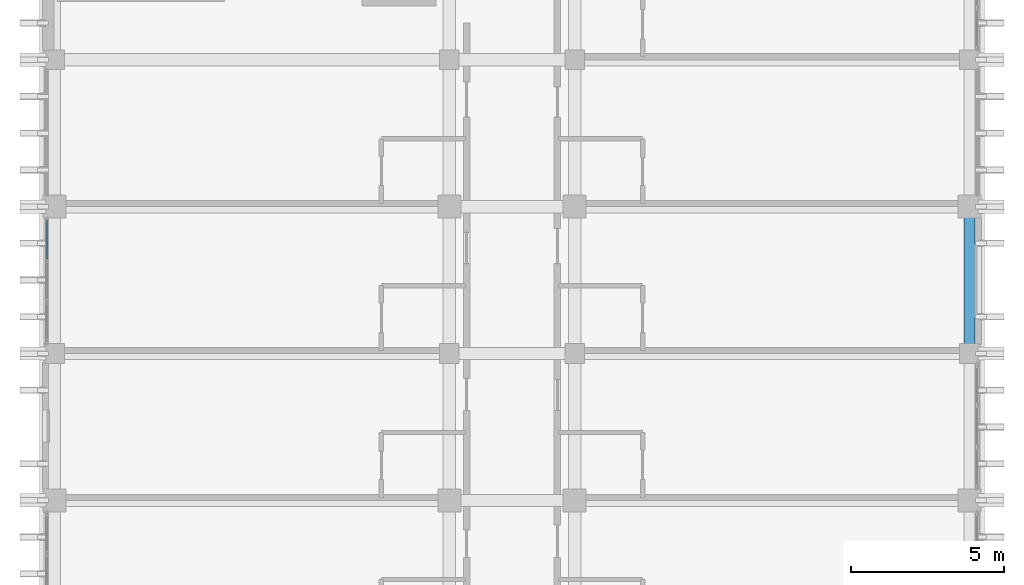
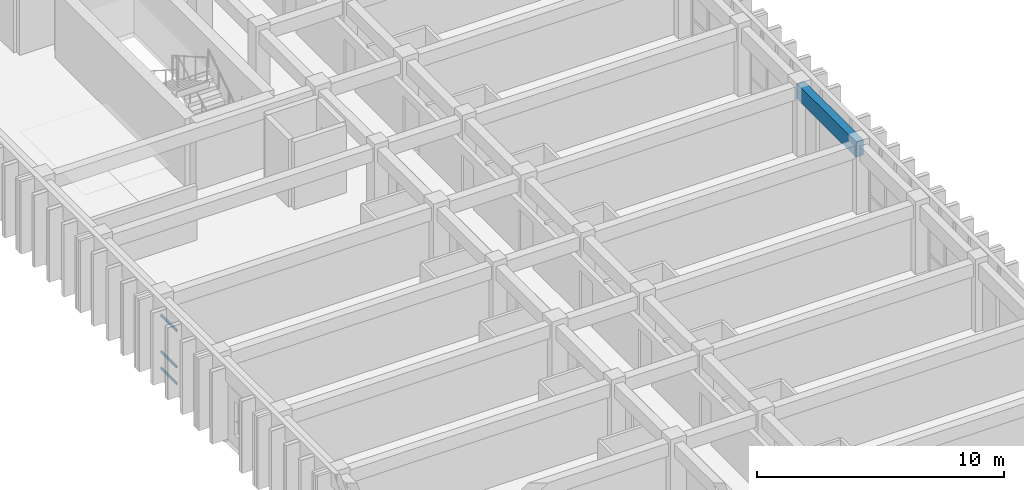
# One storey, part 17 of 64: 3 members, 1 beam, 1 element without a shape of its own.
"""IFC4 building model written with IfcOpenShell, lengths in metres."""

from ifc_helpers import new_model, si_unit, direction, frame, origin, origin_2d, place, context, subcontext, project, spatial, rectangle, hollow_rectangle, extrude, material, layer, layer_set, material_profile, profile_set, type_object, element, aggregate, save


model = new_model("IFC4")

# Units and contexts
model_context = context("Model", 3, precision=1e-05, world=origin(), true_north=direction((0.0, 1.0)))
body_context = subcontext(model_context, "Body", "Model", "MODEL_VIEW")
ifc_project = project(units=[si_unit("LENGTHUNIT", "METRE"), si_unit("AREAUNIT", "SQUARE_METRE"), si_unit("VOLUMEUNIT", "CUBIC_METRE"), si_unit("PLANEANGLEUNIT", "RADIAN"), si_unit("MASSUNIT", "GRAM", prefix="KILO")], contexts=[model_context])

# Site, building, storey
site_placement = place(None, origin())
site = spatial("IfcSite", under=ifc_project, at=site_placement, CompositionType="ELEMENT")
building_placement = place(site_placement, origin())
building = spatial("IfcBuilding", under=site, at=building_placement, Name="Nakhvara Creek Congress Hotel", CompositionType="ELEMENT")
storey_placement = place(building_placement, frame((0.0, 0.0, 28.199951171875)))
storey = spatial("IfcBuildingStorey", under=building, at=storey_placement, Name="L06", CompositionType="ELEMENT", Elevation=28.199951171875)

# Beam
ifc_material_1 = material(Name="Concrete C40/50", Category="concrete")
ifc_material_profile_1 = material_profile(ifc_material_1, rectangle(XDim=0.35009765625, YDim=0.75, at=origin_2d()), Name="RC-SPANDREL 350x750", Category="LoadBearing")
ifc_profile_set_1 = profile_set([ifc_material_profile_1], Name="Concrete C40/50")
beam_type = type_object("IfcBeamType", Name="BM-SPN-350X750", PredefinedType="SPANDREL", material=ifc_profile_set_1)
beam_placement = place(storey_placement, frame((179.35009765625, 62.39990234375, 2.965087890625), z_axis=(0.0, 1.0, 0.0), x_axis=(-1.0, 0.0, 0.0)))
element("IfcBeam", 1, at=beam_placement, inside=storey, type_object=beam_type, Name="Beam SP1-L06-2280", PredefinedType="SPANDREL", context=body_context, shape_type="SweptSolid", body=[
    extrude(rectangle(XDim=0.35009765625, YDim=0.75, at=origin_2d()), origin(), (0.0, 0.0, 1.0), 4.800048828125),
])

# Curtain wall, members
ifc_material_2 = material(Name="Bronze-anodised aluminium AW-6063-T6 and double-silver low-E glass", Category="aluminium")
ifc_layer = layer(ifc_material_2, 0.199951171875)
ifc_layer_set = layer_set([ifc_layer], Name="Bronze-anodised aluminium AW-6063-T6 and double-silver low-E glass")
curtain_wall_type = type_object("IfcCurtainWallType", Name="CW-HTL-UNIT", PredefinedType="USERDEFINED", material=ifc_layer_set)
curtain_wall_placement = place(storey_placement, origin())
curtain_wall = element("IfcCurtainWall", 2, at=curtain_wall_placement, inside=storey, type_object=curtain_wall_type, Name="Curtain Wall CW236", ObjectType="UNITISED", PredefinedType="USERDEFINED")
ifc_material_3 = material(Name="Bronze-anodised aluminium AW-6063-T6", Category="aluminium")
ifc_material_profile_2 = material_profile(ifc_material_3, hollow_rectangle(XDim=0.06494140625, YDim=0.1201171875, WallThickness=0.00390625, at=origin_2d()), Name="ALU-TRAN 65x120x4", Category="LoadBearing")
ifc_profile_set_2 = profile_set([ifc_material_profile_2], Name="Bronze-anodised aluminium AW-6063-T6")
member_type = type_object("IfcMemberType", Name="CW-TRAN-120", PredefinedType="USERDEFINED", material=ifc_profile_set_2)
member_1_placement = place(storey_placement, frame((149.199951171875, 65.48583984375, 0.032470703125), z_axis=(0.0, 1.0, 0.0), x_axis=(-1.0, 0.0, 0.0)))
member_1 = element("IfcMember", 3, at=member_1_placement, type_object=member_type, Name="CW236 transom 3.1", ObjectType="TRANSOM", PredefinedType="USERDEFINED", context=body_context, shape_type="SweptSolid", body=[
    extrude(hollow_rectangle(XDim=0.06494140625, YDim=0.1201171875, WallThickness=0.00390625, at=origin_2d()), origin(), (0.0, 0.0, 1.0), 1.25927734375),
])
member_2_placement = place(storey_placement, frame((149.199951171875, 65.48583984375, 0.85009765625), z_axis=(0.0, 1.0, 0.0), x_axis=(-1.0, 0.0, 0.0)))
member_2 = element("IfcMember", 4, at=member_2_placement, type_object=member_type, Name="CW236 transom 3.2", ObjectType="TRANSOM", PredefinedType="USERDEFINED", context=body_context, shape_type="SweptSolid", body=[
    extrude(hollow_rectangle(XDim=0.06494140625, YDim=0.1201171875, WallThickness=0.00390625, at=origin_2d()), origin(), (0.0, 0.0, 1.0), 1.25927734375),
])
member_3_placement = place(storey_placement, frame((149.199951171875, 65.48583984375, 2.649658203125), z_axis=(0.0, 1.0, 0.0), x_axis=(-1.0, 0.0, 0.0)))
member_3 = element("IfcMember", 5, at=member_3_placement, type_object=member_type, Name="CW236 transom 3.3", ObjectType="TRANSOM", PredefinedType="USERDEFINED", context=body_context, shape_type="SweptSolid", body=[
    extrude(hollow_rectangle(XDim=0.06494140625, YDim=0.1201171875, WallThickness=0.00390625, at=origin_2d()), origin(), (0.0, 0.0, 1.0), 1.25927734375),
])
aggregate(curtain_wall, [member_1, member_2, member_3])

save(model, "model.ifc")
